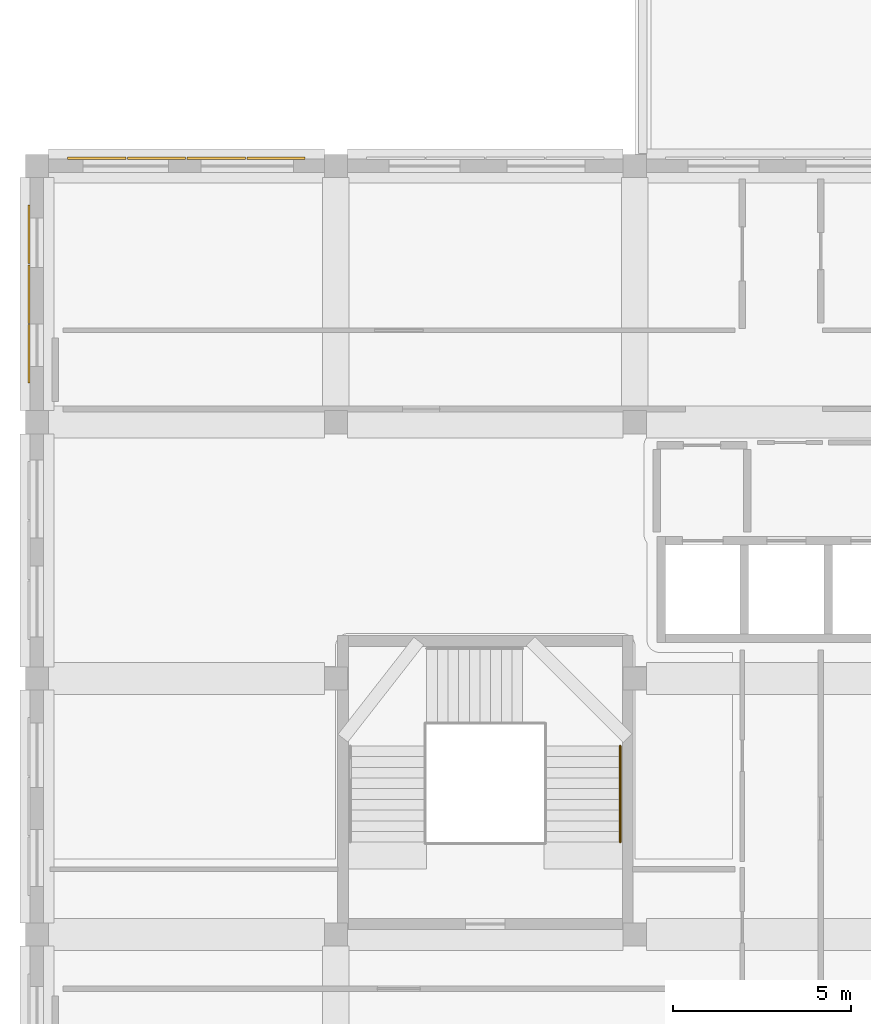
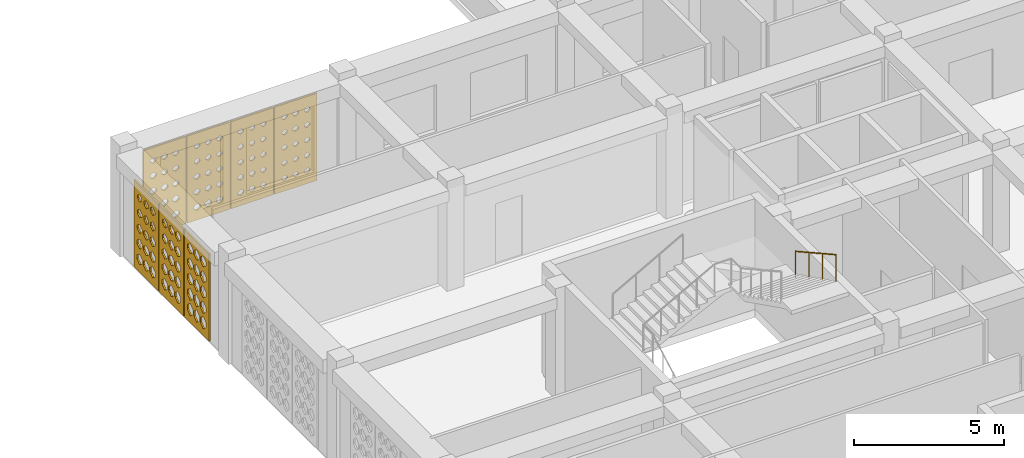
# One storey, part 27 of 47: 7 coverings, 1 railing.
"""IFC4 building model written with IfcOpenShell, lengths in metres."""

from ifc_helpers import new_model, si_unit, derived_unit, direction, frame, origin, origin_2d, place, context, subcontext, project, spatial, polyline, circle, outline, extrude, material, layer, layer_set, type_object, element, save


model = new_model("IFC4")

# Units and contexts
model_context = context("Model", 3, precision=1e-05, world=origin(), true_north=direction((0.0, 1.0)))
body_context = subcontext(model_context, "Body", "Model", "MODEL_VIEW")
ifc_project = project(units=[si_unit("LENGTHUNIT", "METRE"), si_unit("AREAUNIT", "SQUARE_METRE"), si_unit("VOLUMEUNIT", "CUBIC_METRE"), si_unit("PLANEANGLEUNIT", "RADIAN"), si_unit("MASSUNIT", "GRAM", prefix="KILO"), derived_unit("THERMALTRANSMITTANCEUNIT", [(si_unit("POWERUNIT", "WATT"), 1), (si_unit("LENGTHUNIT", "METRE"), -2), (si_unit("THERMODYNAMICTEMPERATUREUNIT", "KELVIN"), -1)])], contexts=[model_context])

# Site, building, storey
site_placement = place(None, origin())
site = spatial("IfcSite", under=ifc_project, at=site_placement, CompositionType="ELEMENT")
building_placement = place(site_placement, origin())
building = spatial("IfcBuilding", under=site, at=building_placement, Name="Veybourne Emporium", CompositionType="ELEMENT")
storey_placement = place(building_placement, frame((0.0, 0.0, 23.39990234375)))
storey = spatial("IfcBuildingStorey", under=building, at=storey_placement, Name="L05", CompositionType="ELEMENT", Elevation=23.39990234375)

# Railing
ifc_material_1 = material(Name="Brushed Stainless Steel", Category="steel")
railing_type = type_object("IfcRailingType", Name="Handrail_HR-01", PredefinedType="HANDRAIL", material=ifc_material_1)
railing_placement = place(storey_placement, frame((16.389892578125, 34.10009765625, 3.150146484375)))
element("IfcRailing", 1, at=railing_placement, inside=storey, type_object=railing_type, Name="L05 ST-02 pitch handrail 3", PredefinedType="HANDRAIL", context=body_context, shape_type="SweptSolid", body=[
    extrude(circle(Radius=0.02392578125, at=origin_2d()), frame((0.0, 0.0, 0.92578125), z_axis=(0.0, -0.874172188743, 0.48561608749), x_axis=(1.0, 0.0, 0.0)), (0.0, 0.0, 1.0), 3.0888671875),
    extrude(circle(Radius=0.02099609375, at=origin_2d()), frame((0.0, 0.0, -0.14990234375)), (0.0, 0.0, 1.0), 1.0517578125),
    extrude(circle(Radius=0.02099609375, at=origin_2d()), frame((0.0, -0.900146484375, 0.35009765625)), (0.0, 0.0, 1.0), 1.0517578125),
    extrude(circle(Radius=0.02099609375, at=origin_2d()), frame((0.0, -1.800048828125, 0.85009765625)), (0.0, 0.0, 1.0), 1.0517578125),
    extrude(circle(Radius=0.02099609375, at=origin_2d()), frame((0.0, -2.7001953125, 1.35009765625)), (0.0, 0.0, 1.0), 1.0517578125),
])

# Coverings
ifc_material_2 = material(Name="Warm-White Perforated Aluminium Screen Alloy", Category="aluminium")
ifc_layer_1 = layer(ifc_material_2, 0.06005859375)
ifc_layer_set_1 = layer_set([ifc_layer_1], Name="Warm-White Perforated Aluminium Screen Alloy")
covering_type_1 = type_object("IfcCoveringType", Name="WaveScreen_SCR-01", PredefinedType="CLADDING", material=ifc_layer_set_1)
covering_1_placement = place(storey_placement, frame((1.679931640625, 50.64794921875, 1.830078125), z_axis=(0.0, -1.0, 0.0), x_axis=(1.0, 0.0, 0.0)))
element("IfcCovering", 2, at=covering_1_placement, inside=storey, type_object=covering_type_1, Name="L05 wave-perforated aluminium screen SCR-01 (6.1)", PredefinedType="CLADDING", context=body_context, shape_type="SweptSolid", body=[
    extrude(outline(polyline([(-0.81982421875, -1.77001953125), (0.81982421875, -1.77001953125), (0.81982421875, 1.77001953125), (-0.81982421875, 1.77001953125), (-0.81982421875, -1.77001953125)]), holes=[polyline([(-0.433349609375, -1.075439453125), (-0.288818359375, -1.1806640625), (-0.288818359375, -1.29931640625), (-0.433349609375, -1.404541015625), (-0.577880859375, -1.29931640625), (-0.577880859375, -1.1806640625), (-0.433349609375, -1.075439453125)]), polyline([(-0.433349609375, -0.468505859375), (-0.29931640625, -0.5654296875), (-0.29931640625, -0.674560546875), (-0.433349609375, -0.771484375), (-0.5673828125, -0.674560546875), (-0.5673828125, -0.5654296875), (-0.433349609375, -0.468505859375)]), polyline([(-0.433349609375, 0.139892578125), (-0.308837890625, 0.05029296875), (-0.308837890625, -0.05029296875), (-0.433349609375, -0.139892578125), (-0.557861328125, -0.05029296875), (-0.557861328125, 0.05029296875), (-0.433349609375, 0.139892578125)]), polyline([(-0.433349609375, 0.749755859375), (-0.317138671875, 0.666748046875), (-0.317138671875, 0.5732421875), (-0.433349609375, 0.490234375), (-0.54931640625, 0.5732421875), (-0.54931640625, 0.666748046875), (-0.433349609375, 0.749755859375)]), polyline([(-0.433349609375, 1.361328125), (-0.323974609375, 1.28369140625), (-0.323974609375, 1.1962890625), (-0.433349609375, 1.11865234375), (-0.54248046875, 1.1962890625), (-0.54248046875, 1.28369140625), (-0.433349609375, 1.361328125)]), polyline([(0.0, -1.081298828125), (0.139892578125, -1.182861328125), (0.139892578125, -1.297119140625), (0.0, -1.398681640625), (-0.139892578125, -1.297119140625), (-0.139892578125, -1.182861328125), (0.0, -1.081298828125)]), polyline([(0.0, -0.473876953125), (0.129638671875, -0.5673828125), (0.129638671875, -0.672607421875), (0.0, -0.76611328125), (-0.129638671875, -0.672607421875), (-0.129638671875, -0.5673828125), (0.0, -0.473876953125)]), polyline([(0.0, 0.135009765625), (0.12060546875, 0.048583984375), (0.12060546875, -0.048583984375), (0.0, -0.135009765625), (-0.12060546875, -0.048583984375), (-0.12060546875, 0.048583984375), (0.0, 0.135009765625)]), polyline([(0.0, 0.74560546875), (0.11279296875, 0.665283203125), (0.11279296875, 0.57470703125), (0.0, 0.494384765625), (-0.11279296875, 0.57470703125), (-0.11279296875, 0.665283203125), (0.0, 0.74560546875)]), polyline([(0.0, 1.3583984375), (0.106689453125, 1.28271484375), (0.106689453125, 1.197509765625), (0.0, 1.12158203125), (-0.106689453125, 1.197509765625), (-0.106689453125, 1.28271484375), (0.0, 1.3583984375)]), polyline([(0.433349609375, -1.087158203125), (0.568359375, -1.18505859375), (0.568359375, -1.294921875), (0.433349609375, -1.392822265625), (0.298095703125, -1.294921875), (0.298095703125, -1.18505859375), (0.433349609375, -1.087158203125)]), polyline([(0.433349609375, -0.47900390625), (0.55859375, -0.569091796875), (0.55859375, -0.6708984375), (0.433349609375, -0.760986328125), (0.30810546875, -0.6708984375), (0.30810546875, -0.569091796875), (0.433349609375, -0.47900390625)]), polyline([(0.433349609375, 0.130615234375), (0.55029296875, 0.047119140625), (0.55029296875, -0.047119140625), (0.433349609375, -0.130615234375), (0.31640625, -0.047119140625), (0.31640625, 0.047119140625), (0.433349609375, 0.130615234375)]), polyline([(0.433349609375, 0.7421875), (0.543212890625, 0.6640625), (0.543212890625, 0.575927734375), (0.433349609375, 0.497802734375), (0.323486328125, 0.575927734375), (0.323486328125, 0.6640625), (0.433349609375, 0.7421875)]), polyline([(0.433349609375, 1.355712890625), (0.5380859375, 1.28173828125), (0.5380859375, 1.1982421875), (0.433349609375, 1.124267578125), (0.32861328125, 1.1982421875), (0.32861328125, 1.28173828125), (0.433349609375, 1.355712890625)])]), origin(), (0.0, 0.0, 1.0), 0.06005859375),
])
ifc_layer_2 = layer(ifc_material_2, 0.06005859375)
ifc_layer_set_2 = layer_set([ifc_layer_2], Name="Warm-White Perforated Aluminium Screen Alloy")
covering_type_2 = type_object("IfcCoveringType", Name="WaveScreen_SCR-02", PredefinedType="CLADDING", material=ifc_layer_set_2)
covering_2_placement = place(storey_placement, frame((3.360107421875, 50.64794921875, 1.830078125), z_axis=(0.0, -1.0, 0.0), x_axis=(1.0, 0.0, 0.0)))
element("IfcCovering", 3, at=covering_2_placement, inside=storey, type_object=covering_type_2, Name="L05 wave-perforated aluminium screen SCR-02 (6.2)", PredefinedType="CLADDING", context=body_context, shape_type="SweptSolid", body=[
    extrude(outline(polyline([(-0.81982421875, -1.77001953125), (0.81982421875, -1.77001953125), (0.81982421875, 1.77001953125), (-0.81982421875, 1.77001953125), (-0.81982421875, -1.77001953125)]), holes=[polyline([(-0.433349609375, -1.09716796875), (-0.306396484375, -1.188720703125), (-0.306396484375, -1.29150390625), (-0.433349609375, -1.3828125), (-0.56005859375, -1.29150390625), (-0.56005859375, -1.188720703125), (-0.433349609375, -1.09716796875)]), polyline([(-0.433349609375, -0.48779296875), (-0.315185546875, -0.572509765625), (-0.315185546875, -0.66748046875), (-0.433349609375, -0.752197265625), (-0.551513671875, -0.66748046875), (-0.551513671875, -0.572509765625), (-0.433349609375, -0.48779296875)]), polyline([(-0.433349609375, 0.123291015625), (-0.322509765625, 0.04443359375), (-0.322509765625, -0.04443359375), (-0.433349609375, -0.123291015625), (-0.544189453125, -0.04443359375), (-0.544189453125, 0.04443359375), (-0.433349609375, 0.123291015625)]), polyline([(-0.433349609375, 0.736572265625), (-0.327880859375, 0.662109375), (-0.327880859375, 0.577880859375), (-0.433349609375, 0.50341796875), (-0.538818359375, 0.577880859375), (-0.538818359375, 0.662109375), (-0.433349609375, 0.736572265625)]), polyline([(-0.433349609375, 1.352294921875), (-0.33154296875, 1.280517578125), (-0.33154296875, 1.19970703125), (-0.433349609375, 1.127685546875), (-0.53515625, 1.19970703125), (-0.53515625, 1.280517578125), (-0.433349609375, 1.352294921875)]), polyline([(0.0, -1.102294921875), (0.122802734375, -1.1904296875), (0.122802734375, -1.28955078125), (0.0, -1.377685546875), (-0.122802734375, -1.28955078125), (-0.122802734375, -1.1904296875), (0.0, -1.102294921875)]), polyline([(0.0, -0.4921875), (0.11474609375, -0.573974609375), (0.11474609375, -0.666015625), (0.0, -0.747802734375), (-0.11474609375, -0.666015625), (-0.11474609375, -0.573974609375), (0.0, -0.4921875)]), polyline([(0.0, 0.1201171875), (0.108154296875, 0.043212890625), (0.108154296875, -0.043212890625), (0.0, -0.1201171875), (-0.108154296875, -0.043212890625), (-0.108154296875, 0.043212890625), (0.0, 0.1201171875)]), polyline([(0.0, 0.734375), (0.103515625, 0.6611328125), (0.103515625, 0.578857421875), (0.0, 0.505615234375), (-0.103515625, 0.578857421875), (-0.103515625, 0.6611328125), (0.0, 0.734375)]), polyline([(0.0, 1.350830078125), (0.100830078125, 1.27978515625), (0.100830078125, 1.2001953125), (0.0, 1.129150390625), (-0.100830078125, 1.2001953125), (-0.100830078125, 1.27978515625), (0.0, 1.350830078125)]), polyline([(0.433349609375, -1.10693359375), (0.55224609375, -1.192138671875), (0.55224609375, -1.287841796875), (0.433349609375, -1.373046875), (0.314453125, -1.287841796875), (0.314453125, -1.192138671875), (0.433349609375, -1.10693359375)]), polyline([(0.433349609375, -0.495849609375), (0.544921875, -0.5751953125), (0.544921875, -0.664794921875), (0.433349609375, -0.744140625), (0.32177734375, -0.664794921875), (0.32177734375, -0.5751953125), (0.433349609375, -0.495849609375)]), polyline([(0.433349609375, 0.1171875), (0.539306640625, 0.042236328125), (0.539306640625, -0.042236328125), (0.433349609375, -0.1171875), (0.327392578125, -0.042236328125), (0.327392578125, 0.042236328125), (0.433349609375, 0.1171875)]), polyline([(0.433349609375, 0.732421875), (0.535400390625, 0.660400390625), (0.535400390625, 0.57958984375), (0.433349609375, 0.507568359375), (0.331298828125, 0.57958984375), (0.331298828125, 0.660400390625), (0.433349609375, 0.732421875)]), polyline([(0.433349609375, 1.35009765625), (0.533447265625, 1.27978515625), (0.533447265625, 1.2001953125), (0.433349609375, 1.1298828125), (0.333251953125, 1.2001953125), (0.333251953125, 1.27978515625), (0.433349609375, 1.35009765625)])]), origin(), (0.0, 0.0, 1.0), 0.06005859375),
])
covering_3_placement = place(storey_placement, frame((-0.248046875, 45.1201171875, 1.830078125), z_axis=(1.0, 0.0, 0.0), x_axis=(0.0, 1.0, 0.0)))
element("IfcCovering", 4, at=covering_3_placement, inside=storey, type_object=covering_type_2, Name="L05 wave-perforated aluminium screen SCR-02 (7.1)", PredefinedType="CLADDING", context=body_context, shape_type="SweptSolid", body=[
    extrude(outline(polyline([(-0.81982421875, -1.77001953125), (0.81982421875, -1.77001953125), (0.81982421875, 1.77001953125), (-0.81982421875, 1.77001953125), (-0.81982421875, -1.77001953125)]), holes=[polyline([(-0.433349609375, -0.978759765625), (-0.2470703125, -1.14599609375), (-0.2470703125, -1.333984375), (-0.433349609375, -1.501220703125), (-0.61962890625, -1.333984375), (-0.61962890625, -1.14599609375), (-0.433349609375, -0.978759765625)]), polyline([(-0.433349609375, -0.36767578125), (-0.2470703125, -0.529052734375), (-0.2470703125, -0.7109375), (-0.433349609375, -0.872314453125), (-0.61962890625, -0.7109375), (-0.61962890625, -0.529052734375), (-0.433349609375, -0.36767578125)]), polyline([(-0.433349609375, 0.24169921875), (-0.2470703125, 0.0869140625), (-0.2470703125, -0.0869140625), (-0.433349609375, -0.24169921875), (-0.61962890625, -0.0869140625), (-0.61962890625, 0.0869140625), (-0.433349609375, 0.24169921875)]), polyline([(-0.433349609375, 0.849609375), (-0.2470703125, 0.70263671875), (-0.2470703125, 0.537353515625), (-0.433349609375, 0.390380859375), (-0.61962890625, 0.537353515625), (-0.61962890625, 0.70263671875), (-0.433349609375, 0.849609375)]), polyline([(-0.433349609375, 1.456298828125), (-0.2470703125, 1.31787109375), (-0.2470703125, 1.162109375), (-0.433349609375, 1.023681640625), (-0.61962890625, 1.162109375), (-0.61962890625, 1.31787109375), (-0.433349609375, 1.456298828125)]), polyline([(0.0, -0.982421875), (0.186279296875, -1.147216796875), (0.186279296875, -1.332763671875), (0.0, -1.49755859375), (-0.186279296875, -1.332763671875), (-0.186279296875, -1.147216796875), (0.0, -0.982421875)]), polyline([(0.0, -0.372314453125), (0.186279296875, -0.53076171875), (0.186279296875, -0.709228515625), (0.0, -0.867919921875), (-0.186279296875, -0.709228515625), (-0.186279296875, -0.53076171875), (0.0, -0.372314453125)]), polyline([(0.0, 0.236328125), (0.186279296875, 0.085205078125), (0.186279296875, -0.085205078125), (0.0, -0.236328125), (-0.186279296875, -0.085205078125), (-0.186279296875, 0.085205078125), (0.0, 0.236328125)]), polyline([(0.0, 0.84375), (0.186279296875, 0.700439453125), (0.186279296875, 0.53955078125), (0.0, 0.396240234375), (-0.186279296875, 0.53955078125), (-0.186279296875, 0.700439453125), (0.0, 0.84375)]), polyline([(0.0, 1.449951171875), (0.181884765625, 1.315673828125), (0.181884765625, 1.164306640625), (0.0, 1.030029296875), (-0.181884765625, 1.164306640625), (-0.181884765625, 1.315673828125), (0.0, 1.449951171875)]), polyline([(0.433349609375, -0.986572265625), (0.61962890625, -1.148681640625), (0.61962890625, -1.331298828125), (0.433349609375, -1.493408203125), (0.2470703125, -1.331298828125), (0.2470703125, -1.148681640625), (0.433349609375, -0.986572265625)]), polyline([(0.433349609375, -0.377197265625), (0.61962890625, -0.53271484375), (0.61962890625, -0.70751953125), (0.433349609375, -0.86279296875), (0.2470703125, -0.70751953125), (0.2470703125, -0.53271484375), (0.433349609375, -0.377197265625)]), polyline([(0.433349609375, 0.230712890625), (0.61962890625, 0.0830078125), (0.61962890625, -0.0830078125), (0.433349609375, -0.230712890625), (0.2470703125, -0.0830078125), (0.2470703125, 0.0830078125), (0.433349609375, 0.230712890625)]), polyline([(0.433349609375, 0.837646484375), (0.61962890625, 0.6982421875), (0.61962890625, 0.541748046875), (0.433349609375, 0.40234375), (0.2470703125, 0.541748046875), (0.2470703125, 0.6982421875), (0.433349609375, 0.837646484375)]), polyline([(0.433349609375, 1.443603515625), (0.610107421875, 1.313232421875), (0.610107421875, 1.166748046875), (0.433349609375, 1.036376953125), (0.256591796875, 1.166748046875), (0.256591796875, 1.313232421875), (0.433349609375, 1.443603515625)])]), origin(), (0.0, 0.0, 1.0), 0.06005859375),
])
ifc_layer_3 = layer(ifc_material_2, 0.06005859375)
ifc_layer_set_3 = layer_set([ifc_layer_3], Name="Warm-White Perforated Aluminium Screen Alloy")
covering_type_3 = type_object("IfcCoveringType", Name="WaveScreen_SCR-03", PredefinedType="CLADDING", material=ifc_layer_set_3)
covering_4_placement = place(storey_placement, frame((5.0400390625, 50.64794921875, 1.830078125), z_axis=(0.0, -1.0, 0.0), x_axis=(1.0, 0.0, 0.0)))
element("IfcCovering", 5, at=covering_4_placement, inside=storey, type_object=covering_type_3, Name="L05 wave-perforated aluminium screen SCR-03 (6.3)", PredefinedType="CLADDING", context=body_context, shape_type="SweptSolid", body=[
    extrude(outline(polyline([(-0.81982421875, -1.77001953125), (0.81982421875, -1.77001953125), (0.81982421875, 1.77001953125), (-0.81982421875, 1.77001953125), (-0.81982421875, -1.77001953125)]), holes=[polyline([(-0.433349609375, -1.114501953125), (-0.32080078125, -1.19482421875), (-0.32080078125, -1.28515625), (-0.433349609375, -1.365478515625), (-0.5458984375, -1.28515625), (-0.5458984375, -1.19482421875), (-0.433349609375, -1.114501953125)]), polyline([(-0.433349609375, -0.501953125), (-0.32666015625, -0.577392578125), (-0.32666015625, -0.66259765625), (-0.433349609375, -0.738037109375), (-0.5400390625, -0.66259765625), (-0.5400390625, -0.577392578125), (-0.433349609375, -0.501953125)]), polyline([(-0.433349609375, 0.113037109375), (-0.330810546875, 0.040771484375), (-0.330810546875, -0.040771484375), (-0.433349609375, -0.113037109375), (-0.535888671875, -0.040771484375), (-0.535888671875, 0.040771484375), (-0.433349609375, 0.113037109375)]), polyline([(-0.433349609375, 0.73046875), (-0.3330078125, 0.65966796875), (-0.3330078125, 0.580322265625), (-0.433349609375, 0.509521484375), (-0.53369140625, 0.580322265625), (-0.53369140625, 0.65966796875), (-0.433349609375, 0.73046875)]), polyline([(-0.433349609375, 1.35009765625), (-0.333251953125, 1.27978515625), (-0.333251953125, 1.2001953125), (-0.433349609375, 1.1298828125), (-0.533447265625, 1.2001953125), (-0.533447265625, 1.27978515625), (-0.433349609375, 1.35009765625)]), polyline([(0.0, -1.1181640625), (0.109619140625, -1.196044921875), (0.109619140625, -1.283935546875), (0.0, -1.36181640625), (-0.109619140625, -1.283935546875), (-0.109619140625, -1.196044921875), (0.0, -1.1181640625)]), polyline([(0.0, -0.50439453125), (0.1044921875, -0.578369140625), (0.1044921875, -0.66162109375), (0.0, -0.735595703125), (-0.1044921875, -0.66162109375), (-0.1044921875, -0.578369140625), (0.0, -0.50439453125)]), polyline([(0.0, 0.111572265625), (0.101318359375, 0.040283203125), (0.101318359375, -0.040283203125), (0.0, -0.111572265625), (-0.101318359375, -0.040283203125), (-0.101318359375, 0.040283203125), (0.0, 0.111572265625)]), polyline([(0.0, 0.72998046875), (0.10009765625, 0.65966796875), (0.10009765625, 0.580322265625), (0.0, 0.510009765625), (-0.10009765625, 0.580322265625), (-0.10009765625, 0.65966796875), (0.0, 0.72998046875)]), polyline([(0.0, 1.350830078125), (0.100830078125, 1.27978515625), (0.100830078125, 1.2001953125), (0.0, 1.129150390625), (-0.100830078125, 1.2001953125), (-0.100830078125, 1.27978515625), (0.0, 1.350830078125)]), polyline([(0.433349609375, -1.12109375), (0.54052734375, -1.197265625), (0.54052734375, -1.28271484375), (0.433349609375, -1.35888671875), (0.326171875, -1.28271484375), (0.326171875, -1.197265625), (0.433349609375, -1.12109375)]), polyline([(0.433349609375, -0.506591796875), (0.5361328125, -0.5791015625), (0.5361328125, -0.660888671875), (0.433349609375, -0.7333984375), (0.33056640625, -0.660888671875), (0.33056640625, -0.5791015625), (0.433349609375, -0.506591796875)]), polyline([(0.433349609375, 0.110595703125), (0.53369140625, 0.039794921875), (0.53369140625, -0.039794921875), (0.433349609375, -0.110595703125), (0.3330078125, -0.039794921875), (0.3330078125, 0.039794921875), (0.433349609375, 0.110595703125)]), polyline([(0.433349609375, 0.72998046875), (0.533447265625, 0.65966796875), (0.533447265625, 0.580322265625), (0.433349609375, 0.510009765625), (0.333251953125, 0.580322265625), (0.333251953125, 0.65966796875), (0.433349609375, 0.72998046875)]), polyline([(0.433349609375, 1.352294921875), (0.53515625, 1.280517578125), (0.53515625, 1.19970703125), (0.433349609375, 1.127685546875), (0.33154296875, 1.19970703125), (0.33154296875, 1.280517578125), (0.433349609375, 1.352294921875)])]), origin(), (0.0, 0.0, 1.0), 0.06005859375),
])
covering_5_placement = place(storey_placement, frame((-0.248046875, 46.800048828125, 1.830078125), z_axis=(1.0, 0.0, 0.0), x_axis=(0.0, 1.0, 0.0)))
element("IfcCovering", 6, at=covering_5_placement, inside=storey, type_object=covering_type_3, Name="L05 wave-perforated aluminium screen SCR-03 (7.2)", PredefinedType="CLADDING", context=body_context, shape_type="SweptSolid", body=[
    extrude(outline(polyline([(-0.81982421875, -1.77001953125), (0.81982421875, -1.77001953125), (0.81982421875, 1.77001953125), (-0.81982421875, 1.77001953125), (-0.81982421875, -1.77001953125)]), holes=[polyline([(-0.433349609375, -0.995361328125), (-0.2470703125, -1.15185546875), (-0.2470703125, -1.328125), (-0.433349609375, -1.484619140625), (-0.61962890625, -1.328125), (-0.61962890625, -1.15185546875), (-0.433349609375, -0.995361328125)]), polyline([(-0.433349609375, -0.38720703125), (-0.2470703125, -0.5361328125), (-0.2470703125, -0.703857421875), (-0.433349609375, -0.852783203125), (-0.61962890625, -0.703857421875), (-0.61962890625, -0.5361328125), (-0.433349609375, -0.38720703125)]), polyline([(-0.433349609375, 0.2197265625), (-0.2470703125, 0.0791015625), (-0.2470703125, -0.0791015625), (-0.433349609375, -0.2197265625), (-0.61962890625, -0.0791015625), (-0.61962890625, 0.0791015625), (-0.433349609375, 0.2197265625)]), polyline([(-0.433349609375, 0.825927734375), (-0.2548828125, 0.694091796875), (-0.2548828125, 0.5458984375), (-0.433349609375, 0.4140625), (-0.61181640625, 0.5458984375), (-0.61181640625, 0.694091796875), (-0.433349609375, 0.825927734375)]), polyline([(-0.433349609375, 1.431640625), (-0.2666015625, 1.30908203125), (-0.2666015625, 1.1708984375), (-0.433349609375, 1.04833984375), (-0.60009765625, 1.1708984375), (-0.60009765625, 1.30908203125), (-0.433349609375, 1.431640625)]), polyline([(0.0, -1.00048828125), (0.186279296875, -1.15380859375), (0.186279296875, -1.326171875), (0.0, -1.4794921875), (-0.186279296875, -1.326171875), (-0.186279296875, -1.15380859375), (0.0, -1.00048828125)]), polyline([(0.0, -0.392822265625), (0.186279296875, -0.538330078125), (0.186279296875, -0.70166015625), (0.0, -0.84716796875), (-0.186279296875, -0.70166015625), (-0.186279296875, -0.538330078125), (0.0, -0.392822265625)]), polyline([(0.0, 0.213623046875), (0.184814453125, 0.076904296875), (0.184814453125, -0.076904296875), (0.0, -0.213623046875), (-0.184814453125, -0.076904296875), (-0.184814453125, 0.076904296875), (0.0, 0.213623046875)]), polyline([(0.0, 0.819580078125), (0.173095703125, 0.69189453125), (0.173095703125, 0.548095703125), (0.0, 0.42041015625), (-0.173095703125, 0.548095703125), (-0.173095703125, 0.69189453125), (0.0, 0.819580078125)]), polyline([(0.0, 1.42529296875), (0.16162109375, 1.306640625), (0.16162109375, 1.17333984375), (0.0, 1.0546875), (-0.16162109375, 1.17333984375), (-0.16162109375, 1.306640625), (0.0, 1.42529296875)]), polyline([(0.433349609375, -1.005859375), (0.61962890625, -1.15576171875), (0.61962890625, -1.32421875), (0.433349609375, -1.47412109375), (0.2470703125, -1.32421875), (0.2470703125, -1.15576171875), (0.433349609375, -1.005859375)]), polyline([(0.433349609375, -0.39892578125), (0.61962890625, -0.540283203125), (0.61962890625, -0.69970703125), (0.433349609375, -0.841064453125), (0.2470703125, -0.69970703125), (0.2470703125, -0.540283203125), (0.433349609375, -0.39892578125)]), polyline([(0.433349609375, 0.207275390625), (0.613037109375, 0.07470703125), (0.613037109375, -0.07470703125), (0.433349609375, -0.207275390625), (0.253662109375, -0.07470703125), (0.253662109375, 0.07470703125), (0.433349609375, 0.207275390625)]), polyline([(0.433349609375, 0.81298828125), (0.601318359375, 0.689453125), (0.601318359375, 0.550537109375), (0.433349609375, 0.427001953125), (0.265380859375, 0.550537109375), (0.265380859375, 0.689453125), (0.433349609375, 0.81298828125)]), polyline([(0.433349609375, 1.418701171875), (0.589599609375, 1.304443359375), (0.589599609375, 1.175537109375), (0.433349609375, 1.061279296875), (0.277099609375, 1.175537109375), (0.277099609375, 1.304443359375), (0.433349609375, 1.418701171875)])]), origin(), (0.0, 0.0, 1.0), 0.06005859375),
])
ifc_layer_4 = layer(ifc_material_2, 0.06005859375)
ifc_layer_set_4 = layer_set([ifc_layer_4], Name="Warm-White Perforated Aluminium Screen Alloy")
covering_type_4 = type_object("IfcCoveringType", Name="WaveScreen_SCR-04", PredefinedType="CLADDING", material=ifc_layer_set_4)
covering_6_placement = place(storey_placement, frame((6.719970703125, 50.64794921875, 1.830078125), z_axis=(0.0, -1.0, 0.0), x_axis=(1.0, 0.0, 0.0)))
element("IfcCovering", 7, at=covering_6_placement, inside=storey, type_object=covering_type_4, Name="L05 wave-perforated aluminium screen SCR-04 (6.4)", PredefinedType="CLADDING", context=body_context, shape_type="SweptSolid", body=[
    extrude(outline(polyline([(-0.81982421875, -1.77001953125), (0.81982421875, -1.77001953125), (0.81982421875, 1.77001953125), (-0.81982421875, 1.77001953125), (-0.81982421875, -1.77001953125)]), holes=[polyline([(-0.433349609375, -1.125732421875), (-0.329833984375, -1.198974609375), (-0.329833984375, -1.281005859375), (-0.433349609375, -1.354248046875), (-0.53662109375, -1.281005859375), (-0.53662109375, -1.198974609375), (-0.433349609375, -1.125732421875)]), polyline([(-0.433349609375, -0.509033203125), (-0.33251953125, -0.580078125), (-0.33251953125, -0.659912109375), (-0.433349609375, -0.73095703125), (-0.533935546875, -0.659912109375), (-0.533935546875, -0.580078125), (-0.433349609375, -0.509033203125)]), polyline([(-0.433349609375, 0.110107421875), (-0.333251953125, 0.03955078125), (-0.333251953125, -0.03955078125), (-0.433349609375, -0.110107421875), (-0.533447265625, -0.03955078125), (-0.533447265625, 0.03955078125), (-0.433349609375, 0.110107421875)]), polyline([(-0.433349609375, 0.731689453125), (-0.33203125, 0.66015625), (-0.33203125, 0.579833984375), (-0.433349609375, 0.50830078125), (-0.53466796875, 0.579833984375), (-0.53466796875, 0.66015625), (-0.433349609375, 0.731689453125)]), polyline([(-0.433349609375, 1.355712890625), (-0.32861328125, 1.28173828125), (-0.32861328125, 1.1982421875), (-0.433349609375, 1.124267578125), (-0.5380859375, 1.1982421875), (-0.5380859375, 1.28173828125), (-0.433349609375, 1.355712890625)]), polyline([(0.0, -1.127685546875), (0.101806640625, -1.199462890625), (0.101806640625, -1.280517578125), (0.0, -1.352294921875), (-0.101806640625, -1.280517578125), (-0.101806640625, -1.199462890625), (0.0, -1.127685546875)]), polyline([(0.0, -0.509765625), (0.10009765625, -0.580322265625), (0.10009765625, -0.65966796875), (0.0, -0.730224609375), (-0.10009765625, -0.65966796875), (-0.10009765625, -0.580322265625), (0.0, -0.509765625)]), polyline([(0.0, 0.110595703125), (0.100341796875, 0.039794921875), (0.100341796875, -0.039794921875), (0.0, -0.110595703125), (-0.100341796875, -0.039794921875), (-0.100341796875, 0.039794921875), (0.0, 0.110595703125)]), polyline([(0.0, 0.733154296875), (0.1025390625, 0.660888671875), (0.1025390625, 0.5791015625), (0.0, 0.5068359375), (-0.1025390625, 0.5791015625), (-0.1025390625, 0.660888671875), (0.0, 0.733154296875)]), polyline([(0.0, 1.3583984375), (0.106689453125, 1.28271484375), (0.106689453125, 1.197509765625), (0.0, 1.12158203125), (-0.106689453125, 1.197509765625), (-0.106689453125, 1.28271484375), (0.0, 1.3583984375)]), polyline([(0.433349609375, -1.12890625), (0.5341796875, -1.199951171875), (0.5341796875, -1.280029296875), (0.433349609375, -1.35107421875), (0.33251953125, -1.280029296875), (0.33251953125, -1.199951171875), (0.433349609375, -1.12890625)]), polyline([(0.433349609375, -0.510009765625), (0.533203125, -0.580322265625), (0.533203125, -0.65966796875), (0.433349609375, -0.72998046875), (0.333251953125, -0.65966796875), (0.333251953125, -0.580322265625), (0.433349609375, -0.510009765625)]), polyline([(0.433349609375, 0.111328125), (0.534423828125, 0.0400390625), (0.534423828125, -0.0400390625), (0.433349609375, -0.111328125), (0.332275390625, -0.0400390625), (0.332275390625, 0.0400390625), (0.433349609375, 0.111328125)]), polyline([(0.433349609375, 0.735107421875), (0.53759765625, 0.66162109375), (0.53759765625, 0.57861328125), (0.433349609375, 0.5048828125), (0.3291015625, 0.57861328125), (0.3291015625, 0.66162109375), (0.433349609375, 0.735107421875)]), polyline([(0.433349609375, 1.361328125), (0.542724609375, 1.28369140625), (0.542724609375, 1.1962890625), (0.433349609375, 1.11865234375), (0.323974609375, 1.1962890625), (0.323974609375, 1.28369140625), (0.433349609375, 1.361328125)])]), origin(), (0.0, 0.0, 1.0), 0.06005859375),
])
covering_7_placement = place(storey_placement, frame((-0.248046875, 48.47998046875, 1.830078125), z_axis=(1.0, 0.0, 0.0), x_axis=(0.0, 1.0, 0.0)))
element("IfcCovering", 8, at=covering_7_placement, inside=storey, type_object=covering_type_4, Name="L05 wave-perforated aluminium screen SCR-04 (7.3)", PredefinedType="CLADDING", context=body_context, shape_type="SweptSolid", body=[
    extrude(outline(polyline([(-0.81982421875, -1.77001953125), (0.81982421875, -1.77001953125), (0.81982421875, 1.77001953125), (-0.81982421875, 1.77001953125), (-0.81982421875, -1.77001953125)]), holes=[polyline([(-0.433349609375, -1.016845703125), (-0.2470703125, -1.15966796875), (-0.2470703125, -1.3203125), (-0.433349609375, -1.463134765625), (-0.61962890625, -1.3203125), (-0.61962890625, -1.15966796875), (-0.433349609375, -1.016845703125)]), polyline([(-0.433349609375, -0.410400390625), (-0.251953125, -0.544677734375), (-0.251953125, -0.6953125), (-0.433349609375, -0.82958984375), (-0.61474609375, -0.6953125), (-0.61474609375, -0.544677734375), (-0.433349609375, -0.410400390625)]), polyline([(-0.433349609375, 0.1953125), (-0.263427734375, 0.0703125), (-0.263427734375, -0.0703125), (-0.433349609375, -0.1953125), (-0.603271484375, -0.0703125), (-0.603271484375, 0.0703125), (-0.433349609375, 0.1953125)]), polyline([(-0.433349609375, 0.801025390625), (-0.275146484375, 0.685302734375), (-0.275146484375, 0.5546875), (-0.433349609375, 0.43896484375), (-0.591552734375, 0.5546875), (-0.591552734375, 0.685302734375), (-0.433349609375, 0.801025390625)]), polyline([(-0.433349609375, 1.406982421875), (-0.28662109375, 1.30029296875), (-0.28662109375, 1.1796875), (-0.433349609375, 1.072998046875), (-0.580078125, 1.1796875), (-0.580078125, 1.30029296875), (-0.433349609375, 1.406982421875)]), polyline([(0.0, -1.022705078125), (0.186279296875, -1.161865234375), (0.186279296875, -1.318115234375), (0.0, -1.457275390625), (-0.186279296875, -1.318115234375), (-0.186279296875, -1.161865234375), (0.0, -1.022705078125)]), polyline([(0.0, -0.416748046875), (0.17626953125, -0.546875), (0.17626953125, -0.693115234375), (0.0, -0.8232421875), (-0.17626953125, -0.693115234375), (-0.17626953125, -0.546875), (0.0, -0.416748046875)]), polyline([(0.0, 0.18896484375), (0.16455078125, 0.068115234375), (0.16455078125, -0.068115234375), (0.0, -0.18896484375), (-0.16455078125, -0.068115234375), (-0.16455078125, 0.068115234375), (0.0, 0.18896484375)]), polyline([(0.0, 0.794677734375), (0.153076171875, 0.682861328125), (0.153076171875, 0.55712890625), (0.0, 0.4453125), (-0.153076171875, 0.55712890625), (-0.153076171875, 0.682861328125), (0.0, 0.794677734375)]), polyline([(0.0, 1.401123046875), (0.141845703125, 1.298095703125), (0.141845703125, 1.181884765625), (0.0, 1.078857421875), (-0.141845703125, 1.181884765625), (-0.141845703125, 1.298095703125), (0.0, 1.401123046875)]), polyline([(0.433349609375, -1.029052734375), (0.615966796875, -1.1640625), (0.615966796875, -1.31591796875), (0.433349609375, -1.450927734375), (0.250732421875, -1.31591796875), (0.250732421875, -1.1640625), (0.433349609375, -1.029052734375)]), polyline([(0.433349609375, -0.423095703125), (0.604248046875, -0.54931640625), (0.604248046875, -0.69091796875), (0.433349609375, -0.81689453125), (0.26220703125, -0.69091796875), (0.26220703125, -0.54931640625), (0.433349609375, -0.423095703125)]), polyline([(0.433349609375, 0.1826171875), (0.592529296875, 0.065673828125), (0.592529296875, -0.065673828125), (0.433349609375, -0.1826171875), (0.27392578125, -0.065673828125), (0.27392578125, 0.065673828125), (0.433349609375, 0.1826171875)]), polyline([(0.433349609375, 0.78857421875), (0.581298828125, 0.6806640625), (0.581298828125, 0.559326171875), (0.433349609375, 0.451416015625), (0.285400390625, 0.559326171875), (0.285400390625, 0.6806640625), (0.433349609375, 0.78857421875)]), polyline([(0.433349609375, 1.395263671875), (0.5703125, 1.2958984375), (0.5703125, 1.18408203125), (0.433349609375, 1.084716796875), (0.29638671875, 1.18408203125), (0.29638671875, 1.2958984375), (0.433349609375, 1.395263671875)])]), origin(), (0.0, 0.0, 1.0), 0.06005859375),
])

save(model, "model.ifc")
